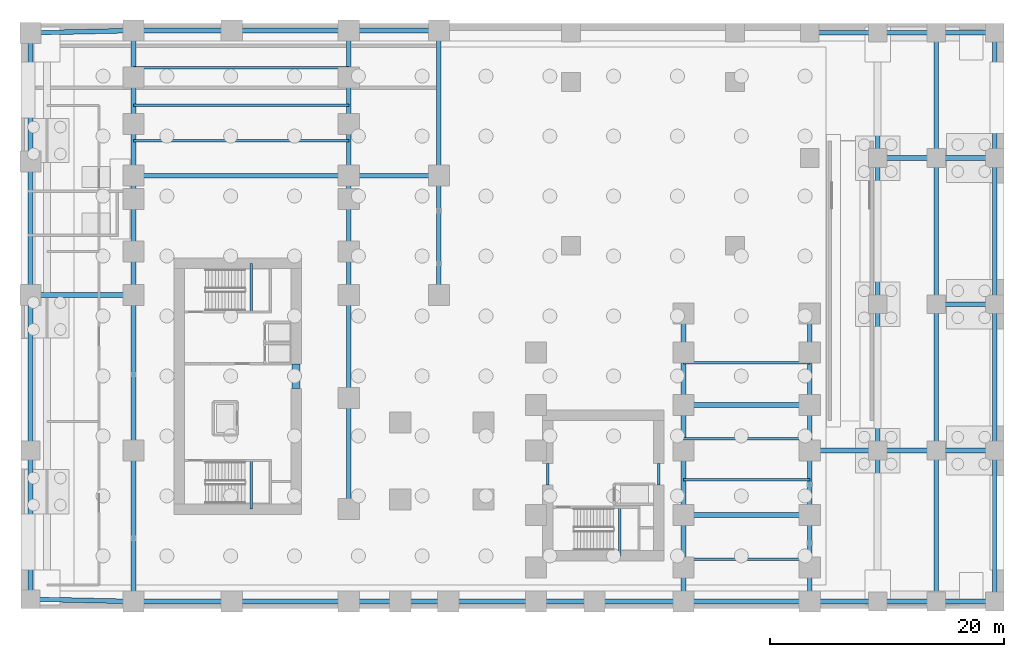
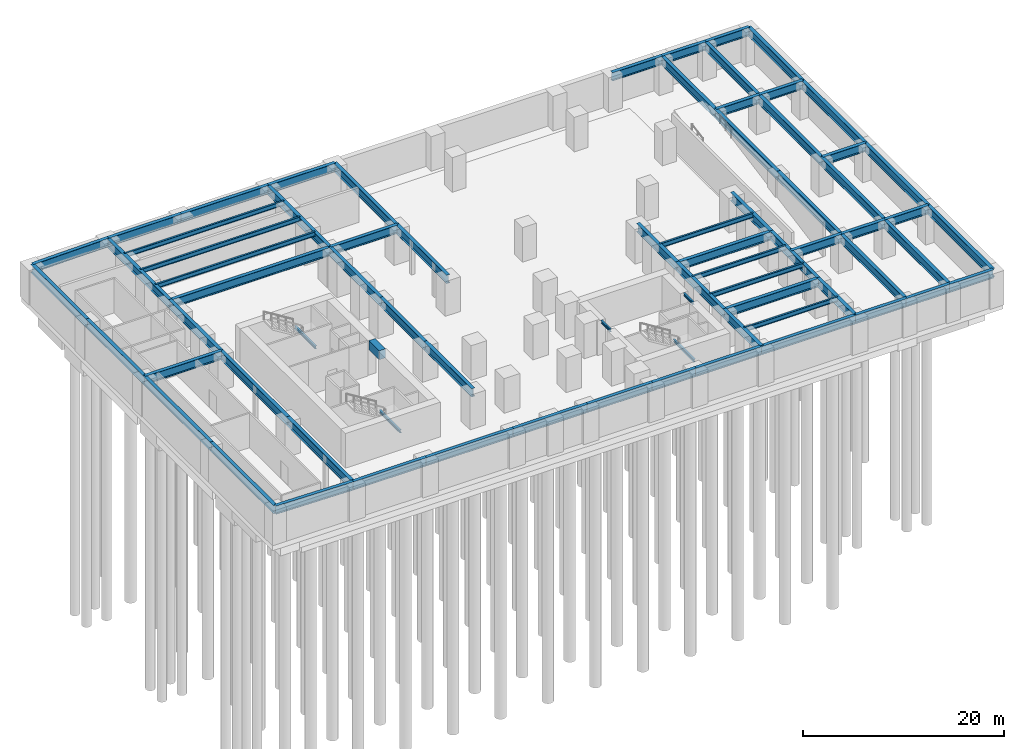
# One storey, part 8 of 15: 74 beams.
"""IFC4 building model written with IfcOpenShell, lengths in metres."""

from ifc_helpers import new_model, si_unit, direction, frame, origin, origin_2d, place, context, subcontext, project, spatial, rectangle, i_section, extrude, source, transform, mapped, material, material_profile, profile_set, type_object, element, save


model = new_model("IFC4")

# Units and contexts
model_context = context("Model", 3, precision=1e-05, world=origin(), true_north=direction((0.0, 1.0)))
body_context = subcontext(model_context, "Body", "Model", "MODEL_VIEW")
ifc_project = project(units=[si_unit("LENGTHUNIT", "METRE"), si_unit("AREAUNIT", "SQUARE_METRE"), si_unit("VOLUMEUNIT", "CUBIC_METRE"), si_unit("PLANEANGLEUNIT", "RADIAN"), si_unit("MASSUNIT", "GRAM", prefix="KILO")], contexts=[model_context])

# Site, building, storey
site_placement = place(None, origin())
site = spatial("IfcSite", under=ifc_project, at=site_placement, CompositionType="ELEMENT")
building_placement = place(site_placement, origin())
building = spatial("IfcBuilding", under=site, at=building_placement, Name="Kharzan Plaza Tower", CompositionType="ELEMENT")
storey_placement = place(building_placement, frame((0.0, 0.0, -9.0)))
storey = spatial("IfcBuildingStorey", under=building, at=storey_placement, Name="B02", CompositionType="ELEMENT", Elevation=-9.0)

# Beams
ifc_material_1 = material(Name="Concrete C60/75", Category="concrete")
ifc_material_profile_1 = material_profile(ifc_material_1, rectangle(XDim=0.699951171875, YDim=1.10009765625, at=origin_2d()), Name="RC-CB1100x700")
ifc_profile_set_1 = profile_set([ifc_material_profile_1], Name="Concrete C60/75")
beam_type_1 = type_object("IfcBeamType", Name="BM-RCCB1100", PredefinedType="LINTEL", material=ifc_profile_set_1)
shared_shape_1 = source(origin(), body_context, "Body", "SweptSolid", [
    extrude(rectangle(XDim=0.699951171875, YDim=1.10009765625, at=origin_2d()), origin(), (0.0, 0.0, 1.0), 2.059814453125),
])
beam_1_placement = place(storey_placement, frame((14.5, 18.820068359375, 3.64990234375), z_axis=(0.0, 1.0, 0.0), x_axis=(-1.0, 0.0, 0.0)))
element("IfcBeam", 1, at=beam_1_placement, inside=storey, type_object=beam_type_1, Name="B02 CORE-A RC coupling beam CB1", PredefinedType="LINTEL", context=body_context, shape_type="MappedRepresentation", body=[
    mapped(shared_shape_1, transform((0.0, 0.0, 0.0), x_axis=(1.0, 0.0, 0.0), y_axis=(0.0, 1.0, 0.0), z_axis=(0.0, 0.0, 1.0))),
])
ifc_material_2 = material(Name="Steel S355", Category="steel")
ifc_material_profile_2 = material_profile(ifc_material_2, i_section(OverallWidth=0.402099609375, OverallDepth=1.02099609375, WebThickness=0.02099609375, FlangeThickness=0.037109375, at=origin_2d()), Name="W1000x412")
ifc_profile_set_2 = profile_set([ifc_material_profile_2], Name="Steel S355")
beam_type_2 = type_object("IfcBeamType", Name="BM-PG1000A", PredefinedType="BEAM", material=ifc_profile_set_2)
shared_shape_2 = source(origin(), body_context, "Body", "SweptSolid", [
    extrude(i_section(OverallWidth=0.402099609375, OverallDepth=1.02099609375, WebThickness=0.02099609375, FlangeThickness=0.037109375, at=origin_2d()), origin(), (0.0, 0.0, 1.0), 5.800048828125),
])
for number, where, z_axis, x_axis, name in (
    (2, (58.39990234375, 0.60009765625, 3.689453125), (1.0, 0.0, 0.0), (0.0, 1.0, 0.0), "B02 Substructure East Girder"),
    (3, (58.39990234375, 13.5, 3.689453125), (1.0, 0.0, 0.0), (0.0, 1.0, 0.0), "B02 Substructure East Girder"),
    (4, (58.39990234375, 49.199951171875, 3.689453125), (1.0, 0.0, 0.0), (0.0, 1.0, 0.0), "B02 Substructure East Girder"),
):
    element("IfcBeam", number, at=place(storey_placement, frame(where, z_axis=z_axis, x_axis=x_axis)), inside=storey, type_object=beam_type_2, Name=name, PredefinedType="BEAM", context=body_context, shape_type="MappedRepresentation", body=[
        mapped(shared_shape_2, transform((0.0, 0.0, 0.0), x_axis=(1.0, 0.0, 0.0), y_axis=(0.0, 1.0, 0.0), z_axis=(0.0, 0.0, 1.0))),
    ])
shared_shape_3 = source(origin(), body_context, "Body", "SweptSolid", [
    extrude(i_section(OverallWidth=0.402099609375, OverallDepth=1.02099609375, WebThickness=0.02099609375, FlangeThickness=0.037109375, at=origin_2d()), origin(), (0.0, 0.0, 1.0), 5.0),
])
for number, where, z_axis, x_axis, name in (
    (5, (64.199951171875, 0.60009765625, 3.689453125), (1.0, 0.0, 0.0), (0.0, 1.0, 0.0), "B02 Substructure Forecourt Girder"),
    (6, (64.199951171875, 13.5, 3.689453125), (1.0, 0.0, 0.0), (0.0, 1.0, 0.0), "B02 Substructure Forecourt Girder"),
    (7, (64.199951171875, 38.5, 3.689453125), (1.0, 0.0, 0.0), (0.0, 1.0, 0.0), "B02 Substructure Forecourt Girder"),
    (8, (64.199951171875, 49.199951171875, 3.689453125), (1.0, 0.0, 0.0), (0.0, 1.0, 0.0), "B02 Substructure Forecourt Girder"),
    (9, (69.199951171875, 0.60009765625, 3.689453125), (1.0, 0.0, 0.0), (0.0, 1.0, 0.0), "B02 Substructure Forecourt Outer Girder"),
    (10, (69.199951171875, 13.5, 3.689453125), (1.0, 0.0, 0.0), (0.0, 1.0, 0.0), "B02 Substructure Forecourt Outer Girder"),
    (11, (69.199951171875, 26.0, 3.689453125), (1.0, 0.0, 0.0), (0.0, 1.0, 0.0), "B02 Substructure Forecourt Outer Girder"),
    (12, (69.199951171875, 38.5, 3.689453125), (1.0, 0.0, 0.0), (0.0, 1.0, 0.0), "B02 Substructure Forecourt Outer Girder"),
    (13, (69.199951171875, 49.199951171875, 3.689453125), (1.0, 0.0, 0.0), (0.0, 1.0, 0.0), "B02 Substructure Forecourt Outer Girder"),
    (14, (35.0, 0.60009765625, 3.689453125), (1.0, 0.0, 0.0), (0.0, 1.0, 0.0), "B02 Podium Primary Girder PG-6A"),
):
    element("IfcBeam", number, at=place(storey_placement, frame(where, z_axis=z_axis, x_axis=x_axis)), inside=storey, type_object=beam_type_2, Name=name, PredefinedType="BEAM", context=body_context, shape_type="MappedRepresentation", body=[
        mapped(shared_shape_3, transform((0.0, 0.0, 0.0), x_axis=(1.0, 0.0, 0.0), y_axis=(0.0, 1.0, 0.0), z_axis=(0.0, 0.0, 1.0))),
    ])
shared_shape_4 = source(origin(), body_context, "Body", "SweptSolid", [
    extrude(i_section(OverallWidth=0.402099609375, OverallDepth=1.02099609375, WebThickness=0.02099609375, FlangeThickness=0.037109375, at=origin_2d()), origin(), (0.0, 0.0, 1.0), 12.89990234375),
])
for number, where, z_axis, x_axis, name in (
    (15, (64.199951171875, 0.60009765625, 3.689453125), (0.0, 1.0, 0.0), (-1.0, 0.0, 0.0), "B02 Substructure Forecourt Tie Girder"),
    (16, (69.199951171875, 0.60009765625, 3.689453125), (0.0, 1.0, 0.0), (-1.0, 0.0, 0.0), "B02 Substructure Forecourt Tie Girder"),
    (17, (74.199951171875, 0.60009765625, 3.689453125), (0.0, 1.0, 0.0), (-1.0, 0.0, 0.0), "B02 Substructure Forecourt Tie Girder"),
    (18, (0.60009765625, 0.60009765625, 3.689453125), (0.0, 1.0, 0.0), (-1.0, 0.0, 0.0), "B02 Podium Primary Girder PG-14"),
):
    element("IfcBeam", number, at=place(storey_placement, frame(where, z_axis=z_axis, x_axis=x_axis)), inside=storey, type_object=beam_type_2, Name=name, PredefinedType="BEAM", context=body_context, shape_type="MappedRepresentation", body=[
        mapped(shared_shape_4, transform((0.0, 0.0, 0.0), x_axis=(1.0, 0.0, 0.0), y_axis=(0.0, 1.0, 0.0), z_axis=(0.0, 0.0, 1.0))),
    ])
shared_shape_5 = source(origin(), body_context, "Body", "SweptSolid", [
    extrude(i_section(OverallWidth=0.402099609375, OverallDepth=1.02099609375, WebThickness=0.02099609375, FlangeThickness=0.037109375, at=origin_2d()), origin(), (0.0, 0.0, 1.0), 12.5),
])
for number, where, z_axis, x_axis, name in (
    (19, (64.199951171875, 13.5, 3.689453125), (0.0, 1.0, 0.0), (-1.0, 0.0, 0.0), "B02 Substructure Forecourt Tie Girder"),
    (20, (64.199951171875, 26.0, 3.689453125), (0.0, 1.0, 0.0), (-1.0, 0.0, 0.0), "B02 Substructure Forecourt Tie Girder"),
    (21, (69.199951171875, 13.5, 3.689453125), (0.0, 1.0, 0.0), (-1.0, 0.0, 0.0), "B02 Substructure Forecourt Tie Girder"),
    (22, (69.199951171875, 26.0, 3.689453125), (0.0, 1.0, 0.0), (-1.0, 0.0, 0.0), "B02 Substructure Forecourt Tie Girder"),
    (23, (74.199951171875, 13.5, 3.689453125), (0.0, 1.0, 0.0), (-1.0, 0.0, 0.0), "B02 Substructure Forecourt Tie Girder"),
    (24, (74.199951171875, 26.0, 3.689453125), (0.0, 1.0, 0.0), (-1.0, 0.0, 0.0), "B02 Substructure Forecourt Tie Girder"),
):
    element("IfcBeam", number, at=place(storey_placement, frame(where, z_axis=z_axis, x_axis=x_axis)), inside=storey, type_object=beam_type_2, Name=name, PredefinedType="BEAM", context=body_context, shape_type="MappedRepresentation", body=[
        mapped(shared_shape_5, transform((0.0, 0.0, 0.0), x_axis=(1.0, 0.0, 0.0), y_axis=(0.0, 1.0, 0.0), z_axis=(0.0, 0.0, 1.0))),
    ])
shared_shape_6 = source(origin(), body_context, "Body", "SweptSolid", [
    extrude(i_section(OverallWidth=0.402099609375, OverallDepth=1.02099609375, WebThickness=0.02099609375, FlangeThickness=0.037109375, at=origin_2d()), origin(), (0.0, 0.0, 1.0), 10.699951171875),
])
for number, where, z_axis, x_axis, name in (
    (25, (64.199951171875, 38.5, 3.689453125), (0.0, 1.0, 0.0), (-1.0, 0.0, 0.0), "B02 Substructure Forecourt Tie Girder"),
    (26, (69.199951171875, 38.5, 3.689453125), (0.0, 1.0, 0.0), (-1.0, 0.0, 0.0), "B02 Substructure Forecourt Tie Girder"),
    (27, (74.199951171875, 38.5, 3.689453125), (0.0, 1.0, 0.0), (-1.0, 0.0, 0.0), "B02 Substructure Forecourt Tie Girder"),
):
    element("IfcBeam", number, at=place(storey_placement, frame(where, z_axis=z_axis, x_axis=x_axis)), inside=storey, type_object=beam_type_2, Name=name, PredefinedType="BEAM", context=body_context, shape_type="MappedRepresentation", body=[
        mapped(shared_shape_6, transform((0.0, 0.0, 0.0), x_axis=(1.0, 0.0, 0.0), y_axis=(0.0, 1.0, 0.0), z_axis=(0.0, 0.0, 1.0))),
    ])
shared_shape_7 = source(origin(), body_context, "Body", "SweptSolid", [
    extrude(i_section(OverallWidth=0.402099609375, OverallDepth=1.02099609375, WebThickness=0.02099609375, FlangeThickness=0.037109375, at=origin_2d()), origin(), (0.0, 0.0, 1.0), 8.80224609375),
])
for number, where, z_axis, x_axis, name in (
    (28, (-8.199951171875, 0.800048828125, 3.689453125), (0.9997419644, -0.022715735021, 0.0), (0.022715735021, 0.9997419644, 0.0), "B02 Podium Primary Girder PG-1"),
    (29, (-8.199951171875, 49.199951171875, 3.689453125), (0.9997419644, 0.022715735021, 0.0), (-0.022715735021, 0.9997419644, 0.0), "B02 Podium Primary Girder PG-8"),
):
    element("IfcBeam", number, at=place(storey_placement, frame(where, z_axis=z_axis, x_axis=x_axis)), inside=storey, type_object=beam_type_2, Name=name, PredefinedType="BEAM", context=body_context, shape_type="MappedRepresentation", body=[
        mapped(shared_shape_7, transform((0.0, 0.0, 0.0), x_axis=(1.0, 0.0, 0.0), y_axis=(0.0, 1.0, 0.0), z_axis=(0.0, 0.0, 1.0))),
    ])
shared_shape_8 = source(origin(), body_context, "Body", "SweptSolid", [
    extrude(i_section(OverallWidth=0.402099609375, OverallDepth=1.02099609375, WebThickness=0.02099609375, FlangeThickness=0.037109375, at=origin_2d()), origin(), (0.0, 0.0, 1.0), 10.0),
])
for number, where, z_axis, x_axis, name in (
    (30, (9.0, 49.39990234375, 3.689453125), (1.0, 0.0, 0.0), (0.0, 1.0, 0.0), "B02 Podium Primary Girder PG-10"),
    (31, (9.0, 0.60009765625, 3.689453125), (1.0, 0.0, 0.0), (0.0, 1.0, 0.0), "B02 Podium Primary Girder PG-3"),
):
    element("IfcBeam", number, at=place(storey_placement, frame(where, z_axis=z_axis, x_axis=x_axis)), inside=storey, type_object=beam_type_2, Name=name, PredefinedType="BEAM", context=body_context, shape_type="MappedRepresentation", body=[
        mapped(shared_shape_8, transform((0.0, 0.0, 0.0), x_axis=(1.0, 0.0, 0.0), y_axis=(0.0, 1.0, 0.0), z_axis=(0.0, 0.0, 1.0))),
    ])
shared_shape_9 = source(origin(), body_context, "Body", "SweptSolid", [
    extrude(i_section(OverallWidth=0.402099609375, OverallDepth=1.02099609375, WebThickness=0.02099609375, FlangeThickness=0.037109375, at=origin_2d()), origin(), (0.0, 0.0, 1.0), 7.699951171875),
])
for number, where, z_axis, x_axis, name in (
    (32, (19.0, 49.39990234375, 3.689453125), (1.0, 0.0, 0.0), (0.0, 1.0, 0.0), "B02 Podium Primary Girder PG-11"),
    (33, (19.0, 37.0, 3.689453125), (1.0, 0.0, 0.0), (0.0, 1.0, 0.0), "B02 Podium Primary Girder PG-13"),
):
    element("IfcBeam", number, at=place(storey_placement, frame(where, z_axis=z_axis, x_axis=x_axis)), inside=storey, type_object=beam_type_2, Name=name, PredefinedType="BEAM", context=body_context, shape_type="MappedRepresentation", body=[
        mapped(shared_shape_9, transform((0.0, 0.0, 0.0), x_axis=(1.0, 0.0, 0.0), y_axis=(0.0, 1.0, 0.0), z_axis=(0.0, 0.0, 1.0))),
    ])
shared_shape_10 = source(origin(), body_context, "Body", "SweptSolid", [
    extrude(i_section(OverallWidth=0.402099609375, OverallDepth=1.02099609375, WebThickness=0.02099609375, FlangeThickness=0.037109375, at=origin_2d()), origin(), (0.0, 0.0, 1.0), 18.39990234375),
])
beam_2_placement = place(storey_placement, frame((0.60009765625, 37.0, 3.689453125), z_axis=(1.0, 0.0, 0.0), x_axis=(0.0, 1.0, 0.0)))
element("IfcBeam", 34, at=beam_2_placement, inside=storey, type_object=beam_type_2, Name="B02 Podium Primary Girder PG-12", PredefinedType="BEAM", context=body_context, shape_type="MappedRepresentation", body=[
    mapped(shared_shape_10, transform((0.0, 0.0, 0.0), x_axis=(1.0, 0.0, 0.0), y_axis=(0.0, 1.0, 0.0), z_axis=(0.0, 0.0, 1.0))),
])
shared_shape_11 = source(origin(), body_context, "Body", "SweptSolid", [
    extrude(i_section(OverallWidth=0.402099609375, OverallDepth=1.02099609375, WebThickness=0.02099609375, FlangeThickness=0.037109375, at=origin_2d()), origin(), (0.0, 0.0, 1.0), 13.300048828125),
])
for number, where, z_axis, x_axis, name in (
    (35, (0.60009765625, 13.5, 3.689453125), (0.0, 1.0, 0.0), (-1.0, 0.0, 0.0), "B02 Podium Primary Girder PG-15"),
    (36, (-8.199951171875, 13.5, 3.689453125), (0.0, 1.0, 0.0), (-1.0, 0.0, 0.0), "B02 Podium Primary Girder PG-31"),
):
    element("IfcBeam", number, at=place(storey_placement, frame(where, z_axis=z_axis, x_axis=x_axis)), inside=storey, type_object=beam_type_2, Name=name, PredefinedType="BEAM", context=body_context, shape_type="MappedRepresentation", body=[
        mapped(shared_shape_11, transform((0.0, 0.0, 0.0), x_axis=(1.0, 0.0, 0.0), y_axis=(0.0, 1.0, 0.0), z_axis=(0.0, 0.0, 1.0))),
    ])
shared_shape_12 = source(origin(), body_context, "Body", "SweptSolid", [
    extrude(i_section(OverallWidth=0.402099609375, OverallDepth=1.02099609375, WebThickness=0.02099609375, FlangeThickness=0.037109375, at=origin_2d()), origin(), (0.0, 0.0, 1.0), 10.199951171875),
])
for number, where, z_axis, x_axis, name in (
    (37, (0.60009765625, 26.800048828125, 3.689453125), (0.0, 1.0, 0.0), (-1.0, 0.0, 0.0), "B02 Podium Primary Girder PG-16"),
    (38, (19.0, 26.800048828125, 3.689453125), (0.0, 1.0, 0.0), (-1.0, 0.0, 0.0), "B02 Podium Primary Girder PG-20"),
    (39, (26.699951171875, 26.800048828125, 3.689453125), (0.0, 1.0, 0.0), (-1.0, 0.0, 0.0), "B02 Podium Primary Girder PG-32"),
):
    element("IfcBeam", number, at=place(storey_placement, frame(where, z_axis=z_axis, x_axis=x_axis)), inside=storey, type_object=beam_type_2, Name=name, PredefinedType="BEAM", context=body_context, shape_type="MappedRepresentation", body=[
        mapped(shared_shape_12, transform((0.0, 0.0, 0.0), x_axis=(1.0, 0.0, 0.0), y_axis=(0.0, 1.0, 0.0), z_axis=(0.0, 0.0, 1.0))),
    ])
shared_shape_13 = source(origin(), body_context, "Body", "SweptSolid", [
    extrude(i_section(OverallWidth=0.402099609375, OverallDepth=1.02099609375, WebThickness=0.02099609375, FlangeThickness=0.037109375, at=origin_2d()), origin(), (0.0, 0.0, 1.0), 12.39990234375),
])
for number, where, z_axis, x_axis, name in (
    (40, (0.60009765625, 37.0, 3.689453125), (0.0, 1.0, 0.0), (-1.0, 0.0, 0.0), "B02 Podium Primary Girder PG-17"),
    (41, (19.0, 37.0, 3.689453125), (0.0, 1.0, 0.0), (-1.0, 0.0, 0.0), "B02 Podium Primary Girder PG-21"),
    (42, (26.699951171875, 37.0, 3.689453125), (0.0, 1.0, 0.0), (-1.0, 0.0, 0.0), "B02 Podium Primary Girder PG-33"),
):
    element("IfcBeam", number, at=place(storey_placement, frame(where, z_axis=z_axis, x_axis=x_axis)), inside=storey, type_object=beam_type_2, Name=name, PredefinedType="BEAM", context=body_context, shape_type="MappedRepresentation", body=[
        mapped(shared_shape_13, transform((0.0, 0.0, 0.0), x_axis=(1.0, 0.0, 0.0), y_axis=(0.0, 1.0, 0.0), z_axis=(0.0, 0.0, 1.0))),
    ])
shared_shape_14 = source(origin(), body_context, "Body", "SweptSolid", [
    extrude(i_section(OverallWidth=0.402099609375, OverallDepth=1.02099609375, WebThickness=0.02099609375, FlangeThickness=0.037109375, at=origin_2d()), origin(), (0.0, 0.0, 1.0), 9.5),
])
beam_3_placement = place(storey_placement, frame((19.0, 8.5, 3.689453125), z_axis=(0.0, 1.0, 0.0), x_axis=(-1.0, 0.0, 0.0)))
element("IfcBeam", 43, at=beam_3_placement, inside=storey, type_object=beam_type_2, Name="B02 Podium Primary Girder PG-18", PredefinedType="BEAM", context=body_context, shape_type="MappedRepresentation", body=[
    mapped(shared_shape_14, transform((0.0, 0.0, 0.0), x_axis=(1.0, 0.0, 0.0), y_axis=(0.0, 1.0, 0.0), z_axis=(0.0, 0.0, 1.0))),
])
shared_shape_15 = source(origin(), body_context, "Body", "SweptSolid", [
    extrude(i_section(OverallWidth=0.402099609375, OverallDepth=1.02099609375, WebThickness=0.02099609375, FlangeThickness=0.037109375, at=origin_2d()), origin(), (0.0, 0.0, 1.0), 8.800048828125),
])
for number, where, z_axis, x_axis, name in (
    (44, (19.0, 18.0, 3.689453125), (0.0, 1.0, 0.0), (-1.0, 0.0, 0.0), "B02 Podium Primary Girder PG-19"),
    (45, (-8.199951171875, 26.800048828125, 3.689453125), (1.0, 0.0, 0.0), (0.0, 1.0, 0.0), "B02 Podium Primary Girder PG-8S"),
):
    element("IfcBeam", number, at=place(storey_placement, frame(where, z_axis=z_axis, x_axis=x_axis)), inside=storey, type_object=beam_type_2, Name=name, PredefinedType="BEAM", context=body_context, shape_type="MappedRepresentation", body=[
        mapped(shared_shape_15, transform((0.0, 0.0, 0.0), x_axis=(1.0, 0.0, 0.0), y_axis=(0.0, 1.0, 0.0), z_axis=(0.0, 0.0, 1.0))),
    ])
shared_shape_16 = source(origin(), body_context, "Body", "SweptSolid", [
    extrude(i_section(OverallWidth=0.402099609375, OverallDepth=1.02099609375, WebThickness=0.02099609375, FlangeThickness=0.037109375, at=origin_2d()), origin(), (0.0, 0.0, 1.0), 8.39990234375),
])
for number, where, z_axis, x_axis, name in (
    (46, (0.60009765625, 0.60009765625, 3.689453125), (1.0, 0.0, 0.0), (0.0, 1.0, 0.0), "B02 Podium Primary Girder PG-2"),
    (47, (0.60009765625, 49.39990234375, 3.689453125), (1.0, 0.0, 0.0), (0.0, 1.0, 0.0), "B02 Podium Primary Girder PG-9"),
):
    element("IfcBeam", number, at=place(storey_placement, frame(where, z_axis=z_axis, x_axis=x_axis)), inside=storey, type_object=beam_type_2, Name=name, PredefinedType="BEAM", context=body_context, shape_type="MappedRepresentation", body=[
        mapped(shared_shape_16, transform((0.0, 0.0, 0.0), x_axis=(1.0, 0.0, 0.0), y_axis=(0.0, 1.0, 0.0), z_axis=(0.0, 0.0, 1.0))),
    ])
shared_shape_17 = source(origin(), body_context, "Body", "SweptSolid", [
    extrude(i_section(OverallWidth=0.402099609375, OverallDepth=1.02099609375, WebThickness=0.02099609375, FlangeThickness=0.037109375, at=origin_2d()), origin(), (0.0, 0.0, 1.0), 7.39990234375),
])
for number, where, z_axis, x_axis, name in (
    (48, (47.60009765625, 0.60009765625, 3.689453125), (0.0, 1.0, 0.0), (-1.0, 0.0, 0.0), "B02 Podium Primary Girder PG-22"),
    (49, (58.39990234375, 0.60009765625, 3.689453125), (0.0, 1.0, 0.0), (-1.0, 0.0, 0.0), "B02 Podium Primary Girder PG-25"),
):
    element("IfcBeam", number, at=place(storey_placement, frame(where, z_axis=z_axis, x_axis=x_axis)), inside=storey, type_object=beam_type_2, Name=name, PredefinedType="BEAM", context=body_context, shape_type="MappedRepresentation", body=[
        mapped(shared_shape_17, transform((0.0, 0.0, 0.0), x_axis=(1.0, 0.0, 0.0), y_axis=(0.0, 1.0, 0.0), z_axis=(0.0, 0.0, 1.0))),
    ])
shared_shape_18 = source(origin(), body_context, "Body", "SweptSolid", [
    extrude(i_section(OverallWidth=0.402099609375, OverallDepth=1.02099609375, WebThickness=0.02099609375, FlangeThickness=0.037109375, at=origin_2d()), origin(), (0.0, 0.0, 1.0), 9.39990234375),
])
for number, where, z_axis, x_axis, name in (
    (50, (47.60009765625, 8.0, 3.689453125), (0.0, 1.0, 0.0), (-1.0, 0.0, 0.0), "B02 Podium Primary Girder PG-23"),
    (51, (58.39990234375, 8.0, 3.689453125), (0.0, 1.0, 0.0), (-1.0, 0.0, 0.0), "B02 Podium Primary Girder PG-26"),
):
    element("IfcBeam", number, at=place(storey_placement, frame(where, z_axis=z_axis, x_axis=x_axis)), inside=storey, type_object=beam_type_2, Name=name, PredefinedType="BEAM", context=body_context, shape_type="MappedRepresentation", body=[
        mapped(shared_shape_18, transform((0.0, 0.0, 0.0), x_axis=(1.0, 0.0, 0.0), y_axis=(0.0, 1.0, 0.0), z_axis=(0.0, 0.0, 1.0))),
    ])
shared_shape_19 = source(origin(), body_context, "Body", "SweptSolid", [
    extrude(i_section(OverallWidth=0.402099609375, OverallDepth=1.02099609375, WebThickness=0.02099609375, FlangeThickness=0.037109375, at=origin_2d()), origin(), (0.0, 0.0, 1.0), 7.800048828125),
])
for number, where, z_axis, x_axis, name in (
    (52, (47.60009765625, 17.39990234375, 3.689453125), (0.0, 1.0, 0.0), (-1.0, 0.0, 0.0), "B02 Podium Primary Girder PG-24"),
    (53, (58.39990234375, 17.39990234375, 3.689453125), (0.0, 1.0, 0.0), (-1.0, 0.0, 0.0), "B02 Podium Primary Girder PG-27"),
):
    element("IfcBeam", number, at=place(storey_placement, frame(where, z_axis=z_axis, x_axis=x_axis)), inside=storey, type_object=beam_type_2, Name=name, PredefinedType="BEAM", context=body_context, shape_type="MappedRepresentation", body=[
        mapped(shared_shape_19, transform((0.0, 0.0, 0.0), x_axis=(1.0, 0.0, 0.0), y_axis=(0.0, 1.0, 0.0), z_axis=(0.0, 0.0, 1.0))),
    ])
shared_shape_20 = source(origin(), body_context, "Body", "SweptSolid", [
    extrude(i_section(OverallWidth=0.402099609375, OverallDepth=1.02099609375, WebThickness=0.02099609375, FlangeThickness=0.037109375, at=origin_2d()), origin(), (0.0, 0.0, 1.0), 10.7998046875),
])
for number, where, z_axis, x_axis, name in (
    (54, (47.60009765625, 8.0, 3.689453125), (1.0, 0.0, 0.0), (0.0, 1.0, 0.0), "B02 Podium Primary Girder PG-28"),
    (55, (47.60009765625, 17.39990234375, 3.689453125), (1.0, 0.0, 0.0), (0.0, 1.0, 0.0), "B02 Podium Primary Girder PG-29"),
    (56, (47.60009765625, 0.60009765625, 3.689453125), (1.0, 0.0, 0.0), (0.0, 1.0, 0.0), "B02 Podium Primary Girder PG-7"),
):
    element("IfcBeam", number, at=place(storey_placement, frame(where, z_axis=z_axis, x_axis=x_axis)), inside=storey, type_object=beam_type_2, Name=name, PredefinedType="BEAM", context=body_context, shape_type="MappedRepresentation", body=[
        mapped(shared_shape_20, transform((0.0, 0.0, 0.0), x_axis=(1.0, 0.0, 0.0), y_axis=(0.0, 1.0, 0.0), z_axis=(0.0, 0.0, 1.0))),
    ])
shared_shape_21 = source(origin(), body_context, "Body", "SweptSolid", [
    extrude(i_section(OverallWidth=0.402099609375, OverallDepth=1.02099609375, WebThickness=0.02099609375, FlangeThickness=0.037109375, at=origin_2d()), origin(), (0.0, 0.0, 1.0), 12.699951171875),
])
beam_4_placement = place(storey_placement, frame((-8.199951171875, 0.800048828125, 3.689453125), z_axis=(0.0, 1.0, 0.0), x_axis=(-1.0, 0.0, 0.0)))
element("IfcBeam", 57, at=beam_4_placement, inside=storey, type_object=beam_type_2, Name="B02 Podium Primary Girder PG-30", PredefinedType="BEAM", context=body_context, shape_type="MappedRepresentation", body=[
    mapped(shared_shape_21, transform((0.0, 0.0, 0.0), x_axis=(1.0, 0.0, 0.0), y_axis=(0.0, 1.0, 0.0), z_axis=(0.0, 0.0, 1.0))),
])
shared_shape_22 = source(origin(), body_context, "Body", "SweptSolid", [
    extrude(i_section(OverallWidth=0.402099609375, OverallDepth=1.02099609375, WebThickness=0.02099609375, FlangeThickness=0.037109375, at=origin_2d()), origin(), (0.0, 0.0, 1.0), 8.5),
])
beam_5_placement = place(storey_placement, frame((19.0, 0.60009765625, 3.689453125), z_axis=(1.0, 0.0, 0.0), x_axis=(0.0, 1.0, 0.0)))
element("IfcBeam", 58, at=beam_5_placement, inside=storey, type_object=beam_type_2, Name="B02 Podium Primary Girder PG-4", PredefinedType="BEAM", context=body_context, shape_type="MappedRepresentation", body=[
    mapped(shared_shape_22, transform((0.0, 0.0, 0.0), x_axis=(1.0, 0.0, 0.0), y_axis=(0.0, 1.0, 0.0), z_axis=(0.0, 0.0, 1.0))),
])
shared_shape_23 = source(origin(), body_context, "Body", "SweptSolid", [
    extrude(i_section(OverallWidth=0.402099609375, OverallDepth=1.02099609375, WebThickness=0.02099609375, FlangeThickness=0.037109375, at=origin_2d()), origin(), (0.0, 0.0, 1.0), 7.5),
])
beam_6_placement = place(storey_placement, frame((27.5, 0.60009765625, 3.689453125), z_axis=(1.0, 0.0, 0.0), x_axis=(0.0, 1.0, 0.0)))
element("IfcBeam", 59, at=beam_6_placement, inside=storey, type_object=beam_type_2, Name="B02 Podium Primary Girder PG-5", PredefinedType="BEAM", context=body_context, shape_type="MappedRepresentation", body=[
    mapped(shared_shape_23, transform((0.0, 0.0, 0.0), x_axis=(1.0, 0.0, 0.0), y_axis=(0.0, 1.0, 0.0), z_axis=(0.0, 0.0, 1.0))),
])
shared_shape_24 = source(origin(), body_context, "Body", "SweptSolid", [
    extrude(i_section(OverallWidth=0.402099609375, OverallDepth=1.02099609375, WebThickness=0.02099609375, FlangeThickness=0.037109375, at=origin_2d()), origin(), (0.0, 0.0, 1.0), 7.60009765625),
])
beam_7_placement = place(storey_placement, frame((40.0, 0.60009765625, 3.689453125), z_axis=(1.0, 0.0, 0.0), x_axis=(0.0, 1.0, 0.0)))
element("IfcBeam", 60, at=beam_7_placement, inside=storey, type_object=beam_type_2, Name="B02 Podium Primary Girder PG-6B", PredefinedType="BEAM", context=body_context, shape_type="MappedRepresentation", body=[
    mapped(shared_shape_24, transform((0.0, 0.0, 0.0), x_axis=(1.0, 0.0, 0.0), y_axis=(0.0, 1.0, 0.0), z_axis=(0.0, 0.0, 1.0))),
])
shared_shape_25 = source(origin(), body_context, "Body", "SweptSolid", [
    extrude(i_section(OverallWidth=0.402099609375, OverallDepth=1.02099609375, WebThickness=0.02099609375, FlangeThickness=0.037109375, at=origin_2d()), origin(), (0.0, 0.0, 1.0), 11.39990234375),
])
beam_8_placement = place(storey_placement, frame((-8.199951171875, 26.800048828125, 3.689453125), z_axis=(0.0, 1.0, 0.0), x_axis=(-1.0, 0.0, 0.0)))
element("IfcBeam", 61, at=beam_8_placement, inside=storey, type_object=beam_type_2, Name="B02 Podium Primary Girder PG-8W1", PredefinedType="BEAM", context=body_context, shape_type="MappedRepresentation", body=[
    mapped(shared_shape_25, transform((0.0, 0.0, 0.0), x_axis=(1.0, 0.0, 0.0), y_axis=(0.0, 1.0, 0.0), z_axis=(0.0, 0.0, 1.0))),
])
shared_shape_26 = source(origin(), body_context, "Body", "SweptSolid", [
    extrude(i_section(OverallWidth=0.402099609375, OverallDepth=1.02099609375, WebThickness=0.02099609375, FlangeThickness=0.037109375, at=origin_2d()), origin(), (0.0, 0.0, 1.0), 11.0),
])
beam_9_placement = place(storey_placement, frame((-8.199951171875, 38.199951171875, 3.689453125), z_axis=(0.0, 1.0, 0.0), x_axis=(-1.0, 0.0, 0.0)))
element("IfcBeam", 62, at=beam_9_placement, inside=storey, type_object=beam_type_2, Name="B02 Podium Primary Girder PG-8W2", PredefinedType="BEAM", context=body_context, shape_type="MappedRepresentation", body=[
    mapped(shared_shape_26, transform((0.0, 0.0, 0.0), x_axis=(1.0, 0.0, 0.0), y_axis=(0.0, 1.0, 0.0), z_axis=(0.0, 0.0, 1.0))),
])
ifc_material_profile_3 = material_profile(ifc_material_2, i_section(OverallWidth=0.205078125, OverallDepth=0.35400390625, WebThickness=0.009521484375, FlangeThickness=0.016845703125, at=origin_2d()), Name="W360x79")
ifc_profile_set_3 = profile_set([ifc_material_profile_3], Name="Steel S355")
beam_type_3 = type_object("IfcBeamType", Name="BM-LNT360", PredefinedType="LINTEL", material=ifc_profile_set_3)
shared_shape_27 = source(origin(), body_context, "Body", "SweptSolid", [
    extrude(i_section(OverallWidth=0.205078125, OverallDepth=0.35400390625, WebThickness=0.009521484375, FlangeThickness=0.016845703125, at=origin_2d()), origin(), (0.0, 0.0, 1.0), 1.849853515625),
])
for number, where, z_axis, x_axis, name in (
    (63, (45.5, 10.550048828125, 4.02294921875), (0.0, 1.0, 0.0), (-1.0, 0.0, 0.0), "B02 CORE-B coupling lintel LN1-WE"),
    (64, (36.0, 10.550048828125, 4.02294921875), (0.0, 1.0, 0.0), (-1.0, 0.0, 0.0), "B02 CORE-B coupling lintel LN1-WW"),
):
    element("IfcBeam", number, at=place(storey_placement, frame(where, z_axis=z_axis, x_axis=x_axis)), inside=storey, type_object=beam_type_3, Name=name, PredefinedType="LINTEL", context=body_context, shape_type="MappedRepresentation", body=[
        mapped(shared_shape_27, transform((0.0, 0.0, 0.0), x_axis=(1.0, 0.0, 0.0), y_axis=(0.0, 1.0, 0.0), z_axis=(0.0, 0.0, 1.0))),
    ])
shared_shape_28 = source(origin(), body_context, "Body", "SweptSolid", [
    extrude(i_section(OverallWidth=0.205078125, OverallDepth=0.35400390625, WebThickness=0.009521484375, FlangeThickness=0.016845703125, at=origin_2d()), origin(), (0.0, 0.0, 1.0), 4.155029296875),
])
for number, where, z_axis, x_axis, name in (
    (65, (10.64990234375, 8.5, 1.873046875), (0.0, 1.0, 0.0), (-1.0, 0.0, 0.0), "B02 Stair ST-1 Half-Landing Beam"),
    (66, (10.64990234375, 25.344970703125, 1.873046875), (0.0, 1.0, 0.0), (-1.0, 0.0, 0.0), "B02 Stair ST-2 Half-Landing Beam"),
    (67, (42.14990234375, 4.5, 1.873046875), (0.0, 1.0, 0.0), (-1.0, 0.0, 0.0), "B02 Stair ST-3 Half-Landing Beam"),
):
    element("IfcBeam", number, at=place(storey_placement, frame(where, z_axis=z_axis, x_axis=x_axis)), inside=storey, type_object=beam_type_3, Name=name, PredefinedType="LINTEL", context=body_context, shape_type="MappedRepresentation", body=[
        mapped(shared_shape_28, transform((0.0, 0.0, 0.0), x_axis=(1.0, 0.0, 0.0), y_axis=(0.0, 1.0, 0.0), z_axis=(0.0, 0.0, 1.0))),
    ])
ifc_material_profile_4 = material_profile(ifc_material_2, i_section(OverallWidth=0.214111328125, OverallDepth=0.549072265625, WebThickness=0.0146484375, FlangeThickness=0.023681640625, at=origin_2d()), Name="W530x138")
ifc_profile_set_4 = profile_set([ifc_material_profile_4], Name="Steel S355")
beam_type_4 = type_object("IfcBeamType", Name="BM-JST530A", PredefinedType="JOIST", material=ifc_profile_set_4)
shared_shape_29 = source(origin(), body_context, "Body", "SweptSolid", [
    extrude(i_section(OverallWidth=0.214111328125, OverallDepth=0.549072265625, WebThickness=0.0146484375, FlangeThickness=0.023681640625, at=origin_2d()), origin(), (0.0, 0.0, 1.0), 18.39990234375),
])
for number, where, z_axis, x_axis, name in (
    (68, (0.60009765625, 40.0, 3.925537109375), (1.0, 0.0, 0.0), (0.0, 1.0, 0.0), "B02 Auditorium Joist PJ-1"),
    (69, (0.60009765625, 43.0, 3.925537109375), (1.0, 0.0, 0.0), (0.0, 1.0, 0.0), "B02 Auditorium Joist PJ-2"),
    (70, (0.60009765625, 46.199951171875, 3.925537109375), (1.0, 0.0, 0.0), (0.0, 1.0, 0.0), "B02 Auditorium Joist PJ-3"),
):
    element("IfcBeam", number, at=place(storey_placement, frame(where, z_axis=z_axis, x_axis=x_axis)), inside=storey, type_object=beam_type_4, Name=name, PredefinedType="JOIST", context=body_context, shape_type="MappedRepresentation", body=[
        mapped(shared_shape_29, transform((0.0, 0.0, 0.0), x_axis=(1.0, 0.0, 0.0), y_axis=(0.0, 1.0, 0.0), z_axis=(0.0, 0.0, 1.0))),
    ])
shared_shape_30 = source(origin(), body_context, "Body", "SweptSolid", [
    extrude(i_section(OverallWidth=0.214111328125, OverallDepth=0.549072265625, WebThickness=0.0146484375, FlangeThickness=0.023681640625, at=origin_2d()), origin(), (0.0, 0.0, 1.0), 10.7998046875),
])
for number, where, z_axis, x_axis, name in (
    (71, (47.60009765625, 4.199951171875, 3.925537109375), (1.0, 0.0, 0.0), (0.0, 1.0, 0.0), "B02 East Podium Joist PJ-B1"),
    (72, (47.60009765625, 11.0, 3.925537109375), (1.0, 0.0, 0.0), (0.0, 1.0, 0.0), "B02 East Podium Joist PJ-B2"),
    (73, (47.60009765625, 14.5, 3.925537109375), (1.0, 0.0, 0.0), (0.0, 1.0, 0.0), "B02 East Podium Joist PJ-B3"),
    (74, (47.60009765625, 21.0, 3.925537109375), (1.0, 0.0, 0.0), (0.0, 1.0, 0.0), "B02 East Podium Joist PJ-B4"),
):
    element("IfcBeam", number, at=place(storey_placement, frame(where, z_axis=z_axis, x_axis=x_axis)), inside=storey, type_object=beam_type_4, Name=name, PredefinedType="JOIST", context=body_context, shape_type="MappedRepresentation", body=[
        mapped(shared_shape_30, transform((0.0, 0.0, 0.0), x_axis=(1.0, 0.0, 0.0), y_axis=(0.0, 1.0, 0.0), z_axis=(0.0, 0.0, 1.0))),
    ])

save(model, "model.ifc")
